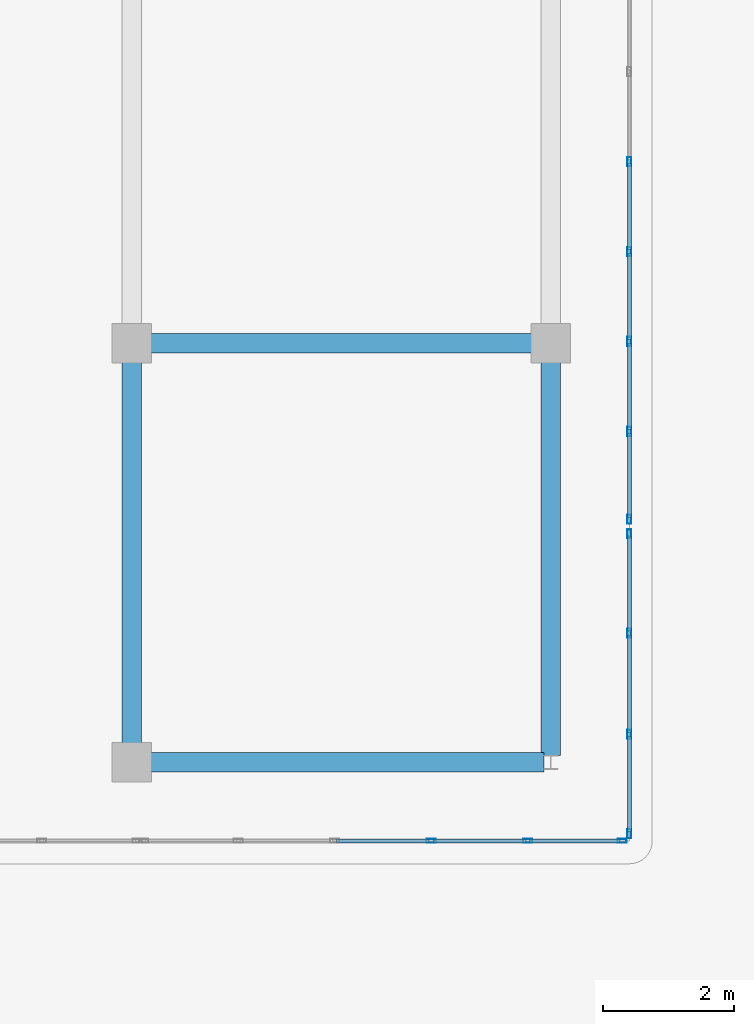
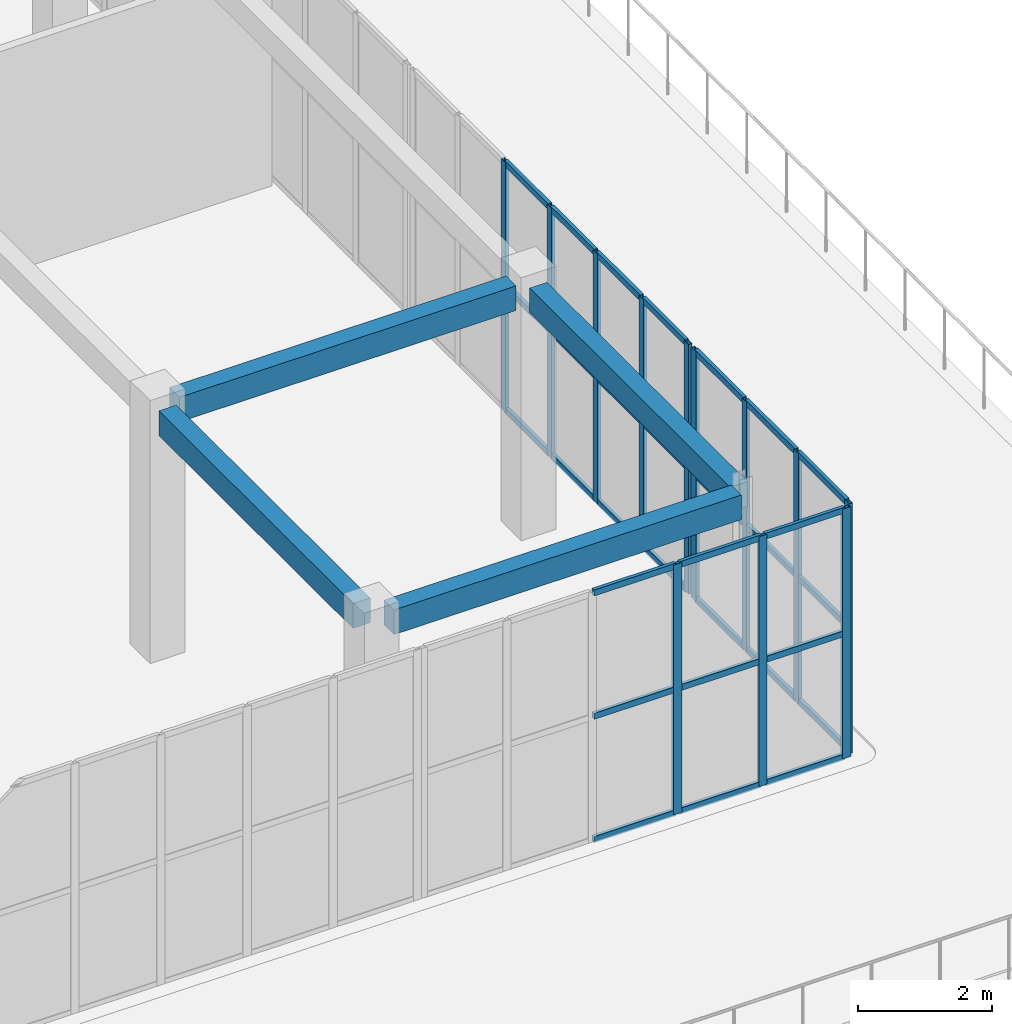
# One storey, part 48 of 158: 42 members, 4 beams, 3 elements without a shape of their own.
"""IFC4 building model written with IfcOpenShell, lengths in metres."""

from ifc_helpers import new_model, si_unit, direction, frame, origin, origin_2d, place, context, subcontext, project, spatial, rectangle, hollow_rectangle, extrude, material, layer, layer_set, material_profile, profile_set, type_object, element, aggregate, save


model = new_model("IFC4")

# Units and contexts
model_context = context("Model", 3, precision=1e-05, world=origin(), true_north=direction((0.0, 1.0)))
body_context = subcontext(model_context, "Body", "Model", "MODEL_VIEW")
ifc_project = project(units=[si_unit("LENGTHUNIT", "METRE"), si_unit("AREAUNIT", "SQUARE_METRE"), si_unit("VOLUMEUNIT", "CUBIC_METRE"), si_unit("PLANEANGLEUNIT", "RADIAN"), si_unit("MASSUNIT", "GRAM", prefix="KILO")], contexts=[model_context])

# Site, building, storey
site_placement = place(None, origin())
site = spatial("IfcSite", under=ifc_project, at=site_placement, CompositionType="ELEMENT")
building_placement = place(site_placement, origin())
building = spatial("IfcBuilding", under=site, at=building_placement, Name="Trelvath General Hospital", CompositionType="ELEMENT")
storey_placement = place(building_placement, frame((0.0, 0.0, 8.10009765625)))
storey = spatial("IfcBuildingStorey", under=building, at=storey_placement, Name="L02", CompositionType="ELEMENT", Elevation=8.10009765625)

# Beams
ifc_material_1 = material(Name="Concrete C35/45", Category="concrete")
ifc_material_profile_1 = material_profile(ifc_material_1, rectangle(XDim=0.300048828125, YDim=0.449951171875, at=origin_2d()), Name="RCB300x450")
ifc_profile_set_1 = profile_set([ifc_material_profile_1], Name="Concrete C35/45")
beam_type = type_object("IfcBeamType", Name="Beam RC300x450", PredefinedType="BEAM", material=ifc_profile_set_1)
beam_1_placement = place(storey_placement, frame((107.49609375, 38.39990234375, 4.3349609375), z_axis=(1.0, 0.0, 0.0), x_axis=(0.0, 1.0, 0.0)))
element("IfcBeam", 1, at=beam_1_placement, inside=storey, type_object=beam_type, Name="Cube Interior Ring Beam CUBE-E-T1 L02", PredefinedType="BEAM", context=body_context, shape_type="SweptSolid", body=[
    extrude(rectangle(XDim=0.300048828125, YDim=0.449951171875, at=origin_2d()), origin(), (0.0, 0.0, 1.0), 5.997802734375),
])
for number, where, z_axis, x_axis, name in (
    (2, (107.49609375, 44.800048828125, 4.3349609375), (1.0, 0.0, 0.0), (0.0, 1.0, 0.0), "Cube Interior Ring Beam CUBE-E-T1 L02"),
    (3, (107.199951171875, 38.696044921875, 4.3349609375), (0.0, 1.0, 0.0), (-1.0, 0.0, 0.0), "Cube Interior Ring Beam CUBE-E-T1 L02"),
):
    element("IfcBeam", number, at=place(storey_placement, frame(where, z_axis=z_axis, x_axis=x_axis)), inside=storey, type_object=beam_type, Name=name, PredefinedType="BEAM", context=body_context, shape_type="SweptSolid", body=[
        extrude(rectangle(XDim=0.300048828125, YDim=0.449951171875, at=origin_2d()), origin(), (0.0, 0.0, 1.0), 5.807861328125),
    ])
beam_2_placement = place(storey_placement, frame((113.60009765625, 38.506103515625, 4.3349609375), z_axis=(0.0, 1.0, 0.0), x_axis=(-1.0, 0.0, 0.0)))
element("IfcBeam", 4, at=beam_2_placement, inside=storey, type_object=beam_type, Name="Cube Interior Ring Beam CUBE-E-T1 L02", PredefinedType="BEAM", context=body_context, shape_type="SweptSolid", body=[
    extrude(rectangle(XDim=0.300048828125, YDim=0.449951171875, at=origin_2d()), origin(), (0.0, 0.0, 1.0), 5.997802734375),
])

# Curtain wall, members
ifc_material_2 = material(Name="Anodised aluminium and low-E glass", Category="aluminium")
ifc_layer_1 = layer(ifc_material_2, 0.139892578125)
ifc_layer_set_1 = layer_set([ifc_layer_1], Name="Anodised aluminium and low-E glass")
curtain_wall_type_1 = type_object("IfcCurtainWallType", Name="CW CrystalCube 737 456 14", PredefinedType="USERDEFINED", material=ifc_layer_set_1)
curtain_wall_1_placement = place(storey_placement, origin())
curtain_wall_1 = element("IfcCurtainWall", 5, at=curtain_wall_1_placement, inside=storey, type_object=curtain_wall_type_1, Name="Crystal Cube Curtain Wall CUBE-E-T1 S3 L02", ObjectType="Unitised Glazed Curtain Wall", PredefinedType="USERDEFINED")
ifc_material_3 = material(Name="Anodised aluminium", Category="aluminium")
ifc_material_profile_2 = material_profile(ifc_material_3, hollow_rectangle(XDim=0.06005859375, YDim=0.139892578125, WallThickness=0.00390625, at=origin_2d()), Name="RHS60x140x4")
ifc_profile_set_2 = profile_set([ifc_material_profile_2], Name="Anodised aluminium")
member_type_1 = type_object("IfcMemberType", Name="CurtainMullion 60x140", PredefinedType="MULLION", material=ifc_profile_set_2)
member_1_placement = place(storey_placement, frame((114.68994140625, 37.199951171875, 0.0), z_axis=(0.0, 0.0, 1.0), x_axis=(0.0, -1.0, 0.0)))
member_1 = element("IfcMember", 6, at=member_1_placement, type_object=member_type_1, Name="CW-207 mullion 1", PredefinedType="MULLION", context=body_context, shape_type="SweptSolid", body=[
    extrude(hollow_rectangle(XDim=0.06005859375, YDim=0.139892578125, WallThickness=0.00390625, at=origin_2d()), origin(), (0.0, 0.0, 1.0), 4.559814453125),
])
member_2_placement = place(storey_placement, frame((113.24658203125, 37.199951171875, 0.0), z_axis=(0.0, 0.0, 1.0), x_axis=(0.0, -1.0, 0.0)))
member_2 = element("IfcMember", 7, at=member_2_placement, type_object=member_type_1, Name="CW-207 mullion 2", PredefinedType="MULLION", context=body_context, shape_type="SweptSolid", body=[
    extrude(hollow_rectangle(XDim=0.06005859375, YDim=0.139892578125, WallThickness=0.00390625, at=origin_2d()), origin(), (0.0, 0.0, 1.0), 4.559814453125),
])
member_3_placement = place(storey_placement, frame((111.7734375, 37.199951171875, 0.0), z_axis=(0.0, 0.0, 1.0), x_axis=(0.0, -1.0, 0.0)))
member_3 = element("IfcMember", 8, at=member_3_placement, type_object=member_type_1, Name="CW-207 mullion 3", PredefinedType="MULLION", context=body_context, shape_type="SweptSolid", body=[
    extrude(hollow_rectangle(XDim=0.06005859375, YDim=0.139892578125, WallThickness=0.00390625, at=origin_2d()), origin(), (0.0, 0.0, 1.0), 4.559814453125),
])

ifc_material_4 = material(Name="Anodised aluminium and low-E glass", Category="aluminium")
ifc_layer_2 = layer(ifc_material_4, 0.139892578125)
ifc_layer_set_2 = layer_set([ifc_layer_2], Name="Anodised aluminium and low-E glass")
curtain_wall_type_2 = type_object("IfcCurtainWallType", Name="CW CrystalCube 464 456 14", PredefinedType="USERDEFINED", material=ifc_layer_set_2)
curtain_wall_2_placement = place(storey_placement, origin())
curtain_wall_2 = element("IfcCurtainWall", 9, at=curtain_wall_2_placement, inside=storey, type_object=curtain_wall_type_2, Name="Crystal Cube Curtain Wall CUBE-E-T1 E1 L02", ObjectType="Unitised Glazed Curtain Wall", PredefinedType="USERDEFINED")
member_4_placement = place(storey_placement, frame((114.800048828125, 41.889892578125, 0.0), z_axis=(0.0, 0.0, 1.0), x_axis=(1.0, 0.0, 0.0)))
member_4 = element("IfcMember", 10, at=member_4_placement, type_object=member_type_1, Name="CW-211 mullion 1", PredefinedType="MULLION", context=body_context, shape_type="SweptSolid", body=[
    extrude(hollow_rectangle(XDim=0.06005859375, YDim=0.139892578125, WallThickness=0.00390625, at=origin_2d()), origin(), (0.0, 0.0, 1.0), 4.559814453125),
])
member_5_placement = place(storey_placement, frame((114.800048828125, 40.373291015625, 0.0), z_axis=(0.0, 0.0, 1.0), x_axis=(1.0, 0.0, 0.0)))
member_5 = element("IfcMember", 11, at=member_5_placement, type_object=member_type_1, Name="CW-211 mullion 2", PredefinedType="MULLION", context=body_context, shape_type="SweptSolid", body=[
    extrude(hollow_rectangle(XDim=0.06005859375, YDim=0.139892578125, WallThickness=0.00390625, at=origin_2d()), origin(), (0.0, 0.0, 1.0), 4.559814453125),
])
member_6_placement = place(storey_placement, frame((114.800048828125, 38.82666015625, 0.0), z_axis=(0.0, 0.0, 1.0), x_axis=(1.0, 0.0, 0.0)))
member_6 = element("IfcMember", 12, at=member_6_placement, type_object=member_type_1, Name="CW-211 mullion 3", PredefinedType="MULLION", context=body_context, shape_type="SweptSolid", body=[
    extrude(hollow_rectangle(XDim=0.06005859375, YDim=0.139892578125, WallThickness=0.00390625, at=origin_2d()), origin(), (0.0, 0.0, 1.0), 4.559814453125),
])
member_7_placement = place(storey_placement, frame((114.800048828125, 37.31005859375, 0.0), z_axis=(0.0, 0.0, 1.0), x_axis=(1.0, 0.0, 0.0)))
member_7 = element("IfcMember", 13, at=member_7_placement, type_object=member_type_1, Name="CW-211 mullion 4", PredefinedType="MULLION", context=body_context, shape_type="SweptSolid", body=[
    extrude(hollow_rectangle(XDim=0.06005859375, YDim=0.139892578125, WallThickness=0.00390625, at=origin_2d()), origin(), (0.0, 0.0, 1.0), 4.559814453125),
])

ifc_material_5 = material(Name="Anodised aluminium and low-E glass", Category="aluminium")
ifc_layer_3 = layer(ifc_material_5, 0.139892578125)
ifc_layer_set_3 = layer_set([ifc_layer_3], Name="Anodised aluminium and low-E glass")
curtain_wall_type_3 = type_object("IfcCurtainWallType", Name="CW CrystalCube 824 456 14", PredefinedType="USERDEFINED", material=ifc_layer_set_3)
curtain_wall_3_placement = place(storey_placement, origin())
curtain_wall_3 = element("IfcCurtainWall", 14, at=curtain_wall_3_placement, inside=storey, type_object=curtain_wall_type_3, Name="Crystal Cube Curtain Wall CUBE-E-T1 E2 L02", ObjectType="Unitised Glazed Curtain Wall", PredefinedType="USERDEFINED")
member_8_placement = place(storey_placement, frame((114.800048828125, 47.5732421875, 0.0), z_axis=(0.0, 0.0, 1.0), x_axis=(1.0, 0.0, 0.0)))
member_8 = element("IfcMember", 15, at=member_8_placement, type_object=member_type_1, Name="CW-213 mullion 3", PredefinedType="MULLION", context=body_context, shape_type="SweptSolid", body=[
    extrude(hollow_rectangle(XDim=0.06005859375, YDim=0.139892578125, WallThickness=0.00390625, at=origin_2d()), origin(), (0.0, 0.0, 1.0), 4.559814453125),
])
member_9_placement = place(storey_placement, frame((114.800048828125, 46.199951171875, 0.0), z_axis=(0.0, 0.0, 1.0), x_axis=(1.0, 0.0, 0.0)))
member_9 = element("IfcMember", 16, at=member_9_placement, type_object=member_type_1, Name="CW-213 mullion 4", PredefinedType="MULLION", context=body_context, shape_type="SweptSolid", body=[
    extrude(hollow_rectangle(XDim=0.06005859375, YDim=0.139892578125, WallThickness=0.00390625, at=origin_2d()), origin(), (0.0, 0.0, 1.0), 4.559814453125),
])
member_10_placement = place(storey_placement, frame((114.800048828125, 44.82666015625, 0.0), z_axis=(0.0, 0.0, 1.0), x_axis=(1.0, 0.0, 0.0)))
member_10 = element("IfcMember", 17, at=member_10_placement, type_object=member_type_1, Name="CW-213 mullion 5", PredefinedType="MULLION", context=body_context, shape_type="SweptSolid", body=[
    extrude(hollow_rectangle(XDim=0.06005859375, YDim=0.139892578125, WallThickness=0.00390625, at=origin_2d()), origin(), (0.0, 0.0, 1.0), 4.559814453125),
])
member_11_placement = place(storey_placement, frame((114.800048828125, 43.453369140625, 0.0), z_axis=(0.0, 0.0, 1.0), x_axis=(1.0, 0.0, 0.0)))
member_11 = element("IfcMember", 18, at=member_11_placement, type_object=member_type_1, Name="CW-213 mullion 6", PredefinedType="MULLION", context=body_context, shape_type="SweptSolid", body=[
    extrude(hollow_rectangle(XDim=0.06005859375, YDim=0.139892578125, WallThickness=0.00390625, at=origin_2d()), origin(), (0.0, 0.0, 1.0), 4.559814453125),
])
member_12_placement = place(storey_placement, frame((114.800048828125, 42.110107421875, 0.0), z_axis=(0.0, 0.0, 1.0), x_axis=(1.0, 0.0, 0.0)))
member_12 = element("IfcMember", 19, at=member_12_placement, type_object=member_type_1, Name="CW-213 mullion 7", PredefinedType="MULLION", context=body_context, shape_type="SweptSolid", body=[
    extrude(hollow_rectangle(XDim=0.06005859375, YDim=0.139892578125, WallThickness=0.00390625, at=origin_2d()), origin(), (0.0, 0.0, 1.0), 4.559814453125),
])

# Member
ifc_material_6 = material(Name="Anodised aluminium", Category="aluminium")
ifc_material_profile_3 = material_profile(ifc_material_6, hollow_rectangle(XDim=0.06005859375, YDim=0.110107421875, WallThickness=0.00390625, at=origin_2d()), Name="RHS60x110x4")
ifc_profile_set_3 = profile_set([ifc_material_profile_3], Name="Anodised aluminium")
member_type_2 = type_object("IfcMemberType", Name="CurtainTransom 60x110", PredefinedType="USERDEFINED", material=ifc_profile_set_3)
member_13_placement = place(storey_placement, frame((114.659912109375, 37.199951171875, 0.02978515625), z_axis=(-1.0, 0.0, 0.0), x_axis=(0.0, -1.0, 0.0)))
member_13 = element("IfcMember", 20, at=member_13_placement, type_object=member_type_2, Name="CW-207 transom 1.1", ObjectType="TRANSOM", PredefinedType="USERDEFINED", context=body_context, shape_type="SweptSolid", body=[
    extrude(hollow_rectangle(XDim=0.06005859375, YDim=0.110107421875, WallThickness=0.00390625, at=origin_2d()), origin(), (0.0, 0.0, 1.0), 1.38330078125),
])

member_14_placement = place(storey_placement, frame((114.659912109375, 37.199951171875, 2.27978515625), z_axis=(-1.0, 0.0, 0.0), x_axis=(0.0, -1.0, 0.0)))
member_14 = element("IfcMember", 21, at=member_14_placement, type_object=member_type_2, Name="CW-207 transom 1.2", ObjectType="TRANSOM", PredefinedType="USERDEFINED", context=body_context, shape_type="SweptSolid", body=[
    extrude(hollow_rectangle(XDim=0.06005859375, YDim=0.110107421875, WallThickness=0.00390625, at=origin_2d()), origin(), (0.0, 0.0, 1.0), 1.38330078125),
])

member_15_placement = place(storey_placement, frame((114.659912109375, 37.199951171875, 4.52978515625), z_axis=(-1.0, 0.0, 0.0), x_axis=(0.0, -1.0, 0.0)))
member_15 = element("IfcMember", 22, at=member_15_placement, type_object=member_type_2, Name="CW-207 transom 1.3", ObjectType="TRANSOM", PredefinedType="USERDEFINED", context=body_context, shape_type="SweptSolid", body=[
    extrude(hollow_rectangle(XDim=0.06005859375, YDim=0.110107421875, WallThickness=0.00390625, at=origin_2d()), origin(), (0.0, 0.0, 1.0), 1.38330078125),
])

member_16_placement = place(storey_placement, frame((113.216552734375, 37.199951171875, 0.02978515625), z_axis=(-1.0, 0.0, 0.0), x_axis=(0.0, -1.0, 0.0)))
member_16 = element("IfcMember", 23, at=member_16_placement, type_object=member_type_2, Name="CW-207 transom 2.1", ObjectType="TRANSOM", PredefinedType="USERDEFINED", context=body_context, shape_type="SweptSolid", body=[
    extrude(hollow_rectangle(XDim=0.06005859375, YDim=0.110107421875, WallThickness=0.00390625, at=origin_2d()), origin(), (0.0, 0.0, 1.0), 1.413330078125),
])

member_17_placement = place(storey_placement, frame((113.216552734375, 37.199951171875, 2.27978515625), z_axis=(-1.0, 0.0, 0.0), x_axis=(0.0, -1.0, 0.0)))
member_17 = element("IfcMember", 24, at=member_17_placement, type_object=member_type_2, Name="CW-207 transom 2.2", ObjectType="TRANSOM", PredefinedType="USERDEFINED", context=body_context, shape_type="SweptSolid", body=[
    extrude(hollow_rectangle(XDim=0.06005859375, YDim=0.110107421875, WallThickness=0.00390625, at=origin_2d()), origin(), (0.0, 0.0, 1.0), 1.413330078125),
])

member_18_placement = place(storey_placement, frame((113.216552734375, 37.199951171875, 4.52978515625), z_axis=(-1.0, 0.0, 0.0), x_axis=(0.0, -1.0, 0.0)))
member_18 = element("IfcMember", 25, at=member_18_placement, type_object=member_type_2, Name="CW-207 transom 2.3", ObjectType="TRANSOM", PredefinedType="USERDEFINED", context=body_context, shape_type="SweptSolid", body=[
    extrude(hollow_rectangle(XDim=0.06005859375, YDim=0.110107421875, WallThickness=0.00390625, at=origin_2d()), origin(), (0.0, 0.0, 1.0), 1.413330078125),
])

member_19_placement = place(storey_placement, frame((111.743408203125, 37.199951171875, 0.02978515625), z_axis=(-1.0, 0.0, 0.0), x_axis=(0.0, -1.0, 0.0)))
member_19 = element("IfcMember", 26, at=member_19_placement, type_object=member_type_2, Name="CW-207 transom 3.1", ObjectType="TRANSOM", PredefinedType="USERDEFINED", context=body_context, shape_type="SweptSolid", body=[
    extrude(hollow_rectangle(XDim=0.06005859375, YDim=0.110107421875, WallThickness=0.00390625, at=origin_2d()), origin(), (0.0, 0.0, 1.0), 1.413330078125),
])

member_20_placement = place(storey_placement, frame((111.743408203125, 37.199951171875, 2.27978515625), z_axis=(-1.0, 0.0, 0.0), x_axis=(0.0, -1.0, 0.0)))
member_20 = element("IfcMember", 27, at=member_20_placement, type_object=member_type_2, Name="CW-207 transom 3.2", ObjectType="TRANSOM", PredefinedType="USERDEFINED", context=body_context, shape_type="SweptSolid", body=[
    extrude(hollow_rectangle(XDim=0.06005859375, YDim=0.110107421875, WallThickness=0.00390625, at=origin_2d()), origin(), (0.0, 0.0, 1.0), 1.413330078125),
])

member_21_placement = place(storey_placement, frame((111.743408203125, 37.199951171875, 4.52978515625), z_axis=(-1.0, 0.0, 0.0), x_axis=(0.0, -1.0, 0.0)))
member_21 = element("IfcMember", 28, at=member_21_placement, type_object=member_type_2, Name="CW-207 transom 3.3", ObjectType="TRANSOM", PredefinedType="USERDEFINED", context=body_context, shape_type="SweptSolid", body=[
    extrude(hollow_rectangle(XDim=0.06005859375, YDim=0.110107421875, WallThickness=0.00390625, at=origin_2d()), origin(), (0.0, 0.0, 1.0), 1.413330078125),
])

aggregate(curtain_wall_1, [member_1, member_2, member_3, member_13, member_14, member_15, member_16, member_17, member_18, member_19, member_20, member_21])

member_22_placement = place(storey_placement, frame((114.800048828125, 41.860107421875, 0.02978515625), z_axis=(0.0, -1.0, 0.0), x_axis=(1.0, 0.0, 0.0)))
member_22 = element("IfcMember", 29, at=member_22_placement, type_object=member_type_2, Name="CW-211 transom 1.1", ObjectType="TRANSOM", PredefinedType="USERDEFINED", context=body_context, shape_type="SweptSolid", body=[
    extrude(hollow_rectangle(XDim=0.06005859375, YDim=0.110107421875, WallThickness=0.00390625, at=origin_2d()), origin(), (0.0, 0.0, 1.0), 1.456787109375),
])

member_23_placement = place(storey_placement, frame((114.800048828125, 41.860107421875, 2.27978515625), z_axis=(0.0, -1.0, 0.0), x_axis=(1.0, 0.0, 0.0)))
member_23 = element("IfcMember", 30, at=member_23_placement, type_object=member_type_2, Name="CW-211 transom 1.2", ObjectType="TRANSOM", PredefinedType="USERDEFINED", context=body_context, shape_type="SweptSolid", body=[
    extrude(hollow_rectangle(XDim=0.06005859375, YDim=0.110107421875, WallThickness=0.00390625, at=origin_2d()), origin(), (0.0, 0.0, 1.0), 1.456787109375),
])

member_24_placement = place(storey_placement, frame((114.800048828125, 41.860107421875, 4.52978515625), z_axis=(0.0, -1.0, 0.0), x_axis=(1.0, 0.0, 0.0)))
member_24 = element("IfcMember", 31, at=member_24_placement, type_object=member_type_2, Name="CW-211 transom 1.3", ObjectType="TRANSOM", PredefinedType="USERDEFINED", context=body_context, shape_type="SweptSolid", body=[
    extrude(hollow_rectangle(XDim=0.06005859375, YDim=0.110107421875, WallThickness=0.00390625, at=origin_2d()), origin(), (0.0, 0.0, 1.0), 1.456787109375),
])

member_25_placement = place(storey_placement, frame((114.800048828125, 40.34326171875, 0.02978515625), z_axis=(0.0, -1.0, 0.0), x_axis=(1.0, 0.0, 0.0)))
member_25 = element("IfcMember", 32, at=member_25_placement, type_object=member_type_2, Name="CW-211 transom 2.1", ObjectType="TRANSOM", PredefinedType="USERDEFINED", context=body_context, shape_type="SweptSolid", body=[
    extrude(hollow_rectangle(XDim=0.06005859375, YDim=0.110107421875, WallThickness=0.00390625, at=origin_2d()), origin(), (0.0, 0.0, 1.0), 1.486572265625),
])

member_26_placement = place(storey_placement, frame((114.800048828125, 40.34326171875, 2.27978515625), z_axis=(0.0, -1.0, 0.0), x_axis=(1.0, 0.0, 0.0)))
member_26 = element("IfcMember", 33, at=member_26_placement, type_object=member_type_2, Name="CW-211 transom 2.2", ObjectType="TRANSOM", PredefinedType="USERDEFINED", context=body_context, shape_type="SweptSolid", body=[
    extrude(hollow_rectangle(XDim=0.06005859375, YDim=0.110107421875, WallThickness=0.00390625, at=origin_2d()), origin(), (0.0, 0.0, 1.0), 1.486572265625),
])

member_27_placement = place(storey_placement, frame((114.800048828125, 40.34326171875, 4.52978515625), z_axis=(0.0, -1.0, 0.0), x_axis=(1.0, 0.0, 0.0)))
member_27 = element("IfcMember", 34, at=member_27_placement, type_object=member_type_2, Name="CW-211 transom 2.3", ObjectType="TRANSOM", PredefinedType="USERDEFINED", context=body_context, shape_type="SweptSolid", body=[
    extrude(hollow_rectangle(XDim=0.06005859375, YDim=0.110107421875, WallThickness=0.00390625, at=origin_2d()), origin(), (0.0, 0.0, 1.0), 1.486572265625),
])

member_28_placement = place(storey_placement, frame((114.800048828125, 38.796630859375, 0.02978515625), z_axis=(0.0, -1.0, 0.0), x_axis=(1.0, 0.0, 0.0)))
member_28 = element("IfcMember", 35, at=member_28_placement, type_object=member_type_2, Name="CW-211 transom 3.1", ObjectType="TRANSOM", PredefinedType="USERDEFINED", context=body_context, shape_type="SweptSolid", body=[
    extrude(hollow_rectangle(XDim=0.06005859375, YDim=0.110107421875, WallThickness=0.00390625, at=origin_2d()), origin(), (0.0, 0.0, 1.0), 1.45654296875),
])

member_29_placement = place(storey_placement, frame((114.800048828125, 38.796630859375, 2.27978515625), z_axis=(0.0, -1.0, 0.0), x_axis=(1.0, 0.0, 0.0)))
member_29 = element("IfcMember", 36, at=member_29_placement, type_object=member_type_2, Name="CW-211 transom 3.2", ObjectType="TRANSOM", PredefinedType="USERDEFINED", context=body_context, shape_type="SweptSolid", body=[
    extrude(hollow_rectangle(XDim=0.06005859375, YDim=0.110107421875, WallThickness=0.00390625, at=origin_2d()), origin(), (0.0, 0.0, 1.0), 1.45654296875),
])

member_30_placement = place(storey_placement, frame((114.800048828125, 38.796630859375, 4.52978515625), z_axis=(0.0, -1.0, 0.0), x_axis=(1.0, 0.0, 0.0)))
member_30 = element("IfcMember", 37, at=member_30_placement, type_object=member_type_2, Name="CW-211 transom 3.3", ObjectType="TRANSOM", PredefinedType="USERDEFINED", context=body_context, shape_type="SweptSolid", body=[
    extrude(hollow_rectangle(XDim=0.06005859375, YDim=0.110107421875, WallThickness=0.00390625, at=origin_2d()), origin(), (0.0, 0.0, 1.0), 1.45654296875),
])

aggregate(curtain_wall_2, [member_4, member_5, member_6, member_7, member_22, member_23, member_24, member_25, member_26, member_27, member_28, member_29, member_30])

member_31_placement = place(storey_placement, frame((114.800048828125, 47.543212890625, 0.02978515625), z_axis=(0.0, -1.0, 0.0), x_axis=(1.0, 0.0, 0.0)))
member_31 = element("IfcMember", 38, at=member_31_placement, type_object=member_type_2, Name="CW-213 transom 3.1", ObjectType="TRANSOM", PredefinedType="USERDEFINED", context=body_context, shape_type="SweptSolid", body=[
    extrude(hollow_rectangle(XDim=0.06005859375, YDim=0.110107421875, WallThickness=0.00390625, at=origin_2d()), origin(), (0.0, 0.0, 1.0), 1.313232421875),
])

member_32_placement = place(storey_placement, frame((114.800048828125, 47.543212890625, 2.27978515625), z_axis=(0.0, -1.0, 0.0), x_axis=(1.0, 0.0, 0.0)))
member_32 = element("IfcMember", 39, at=member_32_placement, type_object=member_type_2, Name="CW-213 transom 3.2", ObjectType="TRANSOM", PredefinedType="USERDEFINED", context=body_context, shape_type="SweptSolid", body=[
    extrude(hollow_rectangle(XDim=0.06005859375, YDim=0.110107421875, WallThickness=0.00390625, at=origin_2d()), origin(), (0.0, 0.0, 1.0), 1.313232421875),
])

member_33_placement = place(storey_placement, frame((114.800048828125, 47.543212890625, 4.52978515625), z_axis=(0.0, -1.0, 0.0), x_axis=(1.0, 0.0, 0.0)))
member_33 = element("IfcMember", 40, at=member_33_placement, type_object=member_type_2, Name="CW-213 transom 3.3", ObjectType="TRANSOM", PredefinedType="USERDEFINED", context=body_context, shape_type="SweptSolid", body=[
    extrude(hollow_rectangle(XDim=0.06005859375, YDim=0.110107421875, WallThickness=0.00390625, at=origin_2d()), origin(), (0.0, 0.0, 1.0), 1.313232421875),
])

member_34_placement = place(storey_placement, frame((114.800048828125, 46.169921875, 0.02978515625), z_axis=(0.0, -1.0, 0.0), x_axis=(1.0, 0.0, 0.0)))
member_34 = element("IfcMember", 41, at=member_34_placement, type_object=member_type_2, Name="CW-213 transom 4.1", ObjectType="TRANSOM", PredefinedType="USERDEFINED", context=body_context, shape_type="SweptSolid", body=[
    extrude(hollow_rectangle(XDim=0.06005859375, YDim=0.110107421875, WallThickness=0.00390625, at=origin_2d()), origin(), (0.0, 0.0, 1.0), 1.313232421875),
])

member_35_placement = place(storey_placement, frame((114.800048828125, 46.169921875, 2.27978515625), z_axis=(0.0, -1.0, 0.0), x_axis=(1.0, 0.0, 0.0)))
member_35 = element("IfcMember", 42, at=member_35_placement, type_object=member_type_2, Name="CW-213 transom 4.2", ObjectType="TRANSOM", PredefinedType="USERDEFINED", context=body_context, shape_type="SweptSolid", body=[
    extrude(hollow_rectangle(XDim=0.06005859375, YDim=0.110107421875, WallThickness=0.00390625, at=origin_2d()), origin(), (0.0, 0.0, 1.0), 1.313232421875),
])

member_36_placement = place(storey_placement, frame((114.800048828125, 46.169921875, 4.52978515625), z_axis=(0.0, -1.0, 0.0), x_axis=(1.0, 0.0, 0.0)))
member_36 = element("IfcMember", 43, at=member_36_placement, type_object=member_type_2, Name="CW-213 transom 4.3", ObjectType="TRANSOM", PredefinedType="USERDEFINED", context=body_context, shape_type="SweptSolid", body=[
    extrude(hollow_rectangle(XDim=0.06005859375, YDim=0.110107421875, WallThickness=0.00390625, at=origin_2d()), origin(), (0.0, 0.0, 1.0), 1.313232421875),
])

member_37_placement = place(storey_placement, frame((114.800048828125, 44.796630859375, 0.02978515625), z_axis=(0.0, -1.0, 0.0), x_axis=(1.0, 0.0, 0.0)))
member_37 = element("IfcMember", 44, at=member_37_placement, type_object=member_type_2, Name="CW-213 transom 5.1", ObjectType="TRANSOM", PredefinedType="USERDEFINED", context=body_context, shape_type="SweptSolid", body=[
    extrude(hollow_rectangle(XDim=0.06005859375, YDim=0.110107421875, WallThickness=0.00390625, at=origin_2d()), origin(), (0.0, 0.0, 1.0), 1.313232421875),
])

member_38_placement = place(storey_placement, frame((114.800048828125, 44.796630859375, 2.27978515625), z_axis=(0.0, -1.0, 0.0), x_axis=(1.0, 0.0, 0.0)))
member_38 = element("IfcMember", 45, at=member_38_placement, type_object=member_type_2, Name="CW-213 transom 5.2", ObjectType="TRANSOM", PredefinedType="USERDEFINED", context=body_context, shape_type="SweptSolid", body=[
    extrude(hollow_rectangle(XDim=0.06005859375, YDim=0.110107421875, WallThickness=0.00390625, at=origin_2d()), origin(), (0.0, 0.0, 1.0), 1.313232421875),
])

member_39_placement = place(storey_placement, frame((114.800048828125, 44.796630859375, 4.52978515625), z_axis=(0.0, -1.0, 0.0), x_axis=(1.0, 0.0, 0.0)))
member_39 = element("IfcMember", 46, at=member_39_placement, type_object=member_type_2, Name="CW-213 transom 5.3", ObjectType="TRANSOM", PredefinedType="USERDEFINED", context=body_context, shape_type="SweptSolid", body=[
    extrude(hollow_rectangle(XDim=0.06005859375, YDim=0.110107421875, WallThickness=0.00390625, at=origin_2d()), origin(), (0.0, 0.0, 1.0), 1.313232421875),
])

member_40_placement = place(storey_placement, frame((114.800048828125, 43.42333984375, 0.02978515625), z_axis=(0.0, -1.0, 0.0), x_axis=(1.0, 0.0, 0.0)))
member_40 = element("IfcMember", 47, at=member_40_placement, type_object=member_type_2, Name="CW-213 transom 6.1", ObjectType="TRANSOM", PredefinedType="USERDEFINED", context=body_context, shape_type="SweptSolid", body=[
    extrude(hollow_rectangle(XDim=0.06005859375, YDim=0.110107421875, WallThickness=0.00390625, at=origin_2d()), origin(), (0.0, 0.0, 1.0), 1.283447265625),
])

member_41_placement = place(storey_placement, frame((114.800048828125, 43.42333984375, 2.27978515625), z_axis=(0.0, -1.0, 0.0), x_axis=(1.0, 0.0, 0.0)))
member_41 = element("IfcMember", 48, at=member_41_placement, type_object=member_type_2, Name="CW-213 transom 6.2", ObjectType="TRANSOM", PredefinedType="USERDEFINED", context=body_context, shape_type="SweptSolid", body=[
    extrude(hollow_rectangle(XDim=0.06005859375, YDim=0.110107421875, WallThickness=0.00390625, at=origin_2d()), origin(), (0.0, 0.0, 1.0), 1.283447265625),
])

member_42_placement = place(storey_placement, frame((114.800048828125, 43.42333984375, 4.52978515625), z_axis=(0.0, -1.0, 0.0), x_axis=(1.0, 0.0, 0.0)))
member_42 = element("IfcMember", 49, at=member_42_placement, type_object=member_type_2, Name="CW-213 transom 6.3", ObjectType="TRANSOM", PredefinedType="USERDEFINED", context=body_context, shape_type="SweptSolid", body=[
    extrude(hollow_rectangle(XDim=0.06005859375, YDim=0.110107421875, WallThickness=0.00390625, at=origin_2d()), origin(), (0.0, 0.0, 1.0), 1.283447265625),
])

aggregate(curtain_wall_3, [member_8, member_9, member_10, member_11, member_12, member_31, member_32, member_33, member_34, member_35, member_36, member_37, member_38, member_39, member_40, member_41, member_42])

save(model, "model.ifc")
